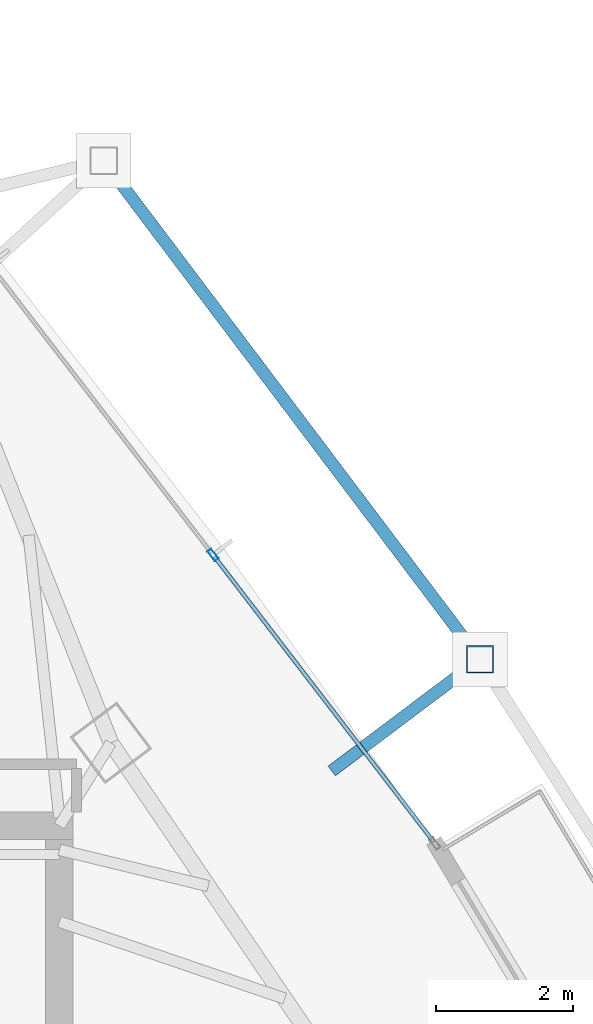
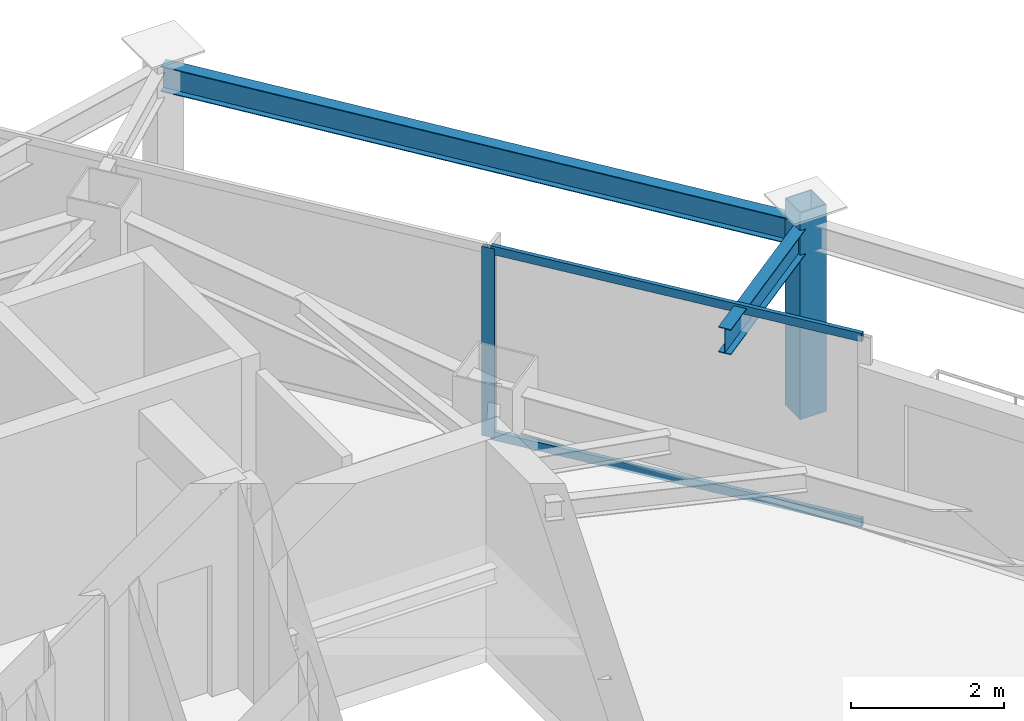
# One storey, part 24 of 31: 4 members, 2 beams, 1 element without a shape of its own.
"""IFC4 building model written with IfcOpenShell, lengths in metres."""

from ifc_helpers import new_model, si_unit, direction, frame, origin, origin_2d, place, context, subcontext, project, spatial, hollow_rectangle, i_section, extrude, material, layer, layer_set, material_profile, profile_set, type_object, element, aggregate, save


model = new_model("IFC4")

# Units and contexts
model_context = context("Model", 3, precision=1e-05, world=origin(), true_north=direction((0.0, 1.0)))
body_context = subcontext(model_context, "Body", "Model", "MODEL_VIEW")
ifc_project = project(units=[si_unit("LENGTHUNIT", "METRE"), si_unit("AREAUNIT", "SQUARE_METRE"), si_unit("VOLUMEUNIT", "CUBIC_METRE"), si_unit("PLANEANGLEUNIT", "RADIAN"), si_unit("MASSUNIT", "GRAM", prefix="KILO")], contexts=[model_context])

# Site, building, storey
site_placement = place(None, origin())
site = spatial("IfcSite", under=ifc_project, at=site_placement, CompositionType="ELEMENT")
building_placement = place(site_placement, origin())
building = spatial("IfcBuilding", under=site, at=building_placement, Name="Orvanel Arch Residences", CompositionType="ELEMENT")
storey_placement = place(building_placement, frame((0.0, 0.0, 183.64990234375)))
storey = spatial("IfcBuildingStorey", under=building, at=storey_placement, Name="L52", CompositionType="ELEMENT", Elevation=183.64990234375)

# Curtain wall, member
ifc_material_1 = material(Name="Bronze-anodised aluminium AA6063-T6", Category="aluminium")
ifc_layer = layer(ifc_material_1, 0.179931640625)
ifc_layer_set = layer_set([ifc_layer], Name="Bronze-anodised aluminium AA6063-T6")
curtain_wall_type = type_object("IfcCurtainWallType", Name="CW3-MID-SYS", PredefinedType="NOTDEFINED", material=ifc_layer_set)
curtain_wall_placement = place(storey_placement, origin())
curtain_wall = element("IfcCurtainWall", 1, at=curtain_wall_placement, inside=storey, type_object=curtain_wall_type, Name="L52 CW3-MID-SYS Unitised Curtain Wall", PredefinedType="NOTDEFINED")
ifc_material_profile_1 = material_profile(ifc_material_1, hollow_rectangle(XDim=0.070068359375, YDim=0.179931640625, WallThickness=0.00439453125, at=origin_2d()), Name="ALU180x70x4.5")
ifc_profile_set_1 = profile_set([ifc_material_profile_1], Name="Bronze-anodised aluminium AA6063-T6")
member_type_1 = type_object("IfcMemberType", Name="MUL-180x70", PredefinedType="MULLION", material=ifc_profile_set_1)
member_1_placement = place(storey_placement, frame((41.8447265625, 37.85791015625, 0.0), z_axis=(0.0, 0.0, 1.0), x_axis=(-0.792760568197, -0.609533166868, 0.0)))
member_1 = element("IfcMember", 2, at=member_1_placement, type_object=member_type_1, Name="CW-S3 mullion 2", PredefinedType="MULLION", context=body_context, shape_type="SweptSolid", body=[
    extrude(hollow_rectangle(XDim=0.070068359375, YDim=0.179931640625, WallThickness=0.00439453125, at=origin_2d()), origin(), (0.0, 0.0, 1.0), 3.02001953125),
])

# Beams
ifc_material_2 = material(Name="Structural steel AS/NZS 3679.1 Grade 300 (300 MPa)", Category="steel")
ifc_material_profile_2 = material_profile(ifc_material_2, i_section(OverallWidth=0.177978515625, OverallDepth=0.406005859375, WebThickness=0.0078125, FlangeThickness=0.0126953125, at=origin_2d()), Name="410UB59.7")
ifc_profile_set_2 = profile_set([ifc_material_profile_2], Name="Structural steel AS/NZS 3679.1 Grade 300 (300 MPa)")
beam_type = type_object("IfcBeamType", Name="OB-410UB-EXT", PredefinedType="SPANDREL", material=ifc_profile_set_2)
beam_1_placement = place(storey_placement, frame((43.577880859375, 34.701904296875, 2.817138671875), z_axis=(0.799004648769, 0.601324846689, 0.0), x_axis=(-0.601324846689, 0.799004648769, 0.0)))
element("IfcBeam", 3, at=beam_1_placement, inside=storey, type_object=beam_type, Name="L52 Outer Frame Radial Tie Beam 11", PredefinedType="SPANDREL", context=body_context, shape_type="SweptSolid", body=[
    extrude(i_section(OverallWidth=0.177978515625, OverallDepth=0.406005859375, WebThickness=0.0078125, FlangeThickness=0.0126953125, at=origin_2d()), origin(), (0.0, 0.0, 1.0), 2.7109375),
])
beam_2_placement = place(storey_placement, frame((45.743896484375, 36.33203125, 2.817138671875), z_axis=(-0.602288199753, 0.798278726034, 0.0), x_axis=(-0.798278726034, -0.602288199753, 0.0)))
element("IfcBeam", 4, at=beam_2_placement, inside=storey, type_object=beam_type, Name="L52 Outer Perimeter Floor Ring Beam 11", PredefinedType="SPANDREL", context=body_context, shape_type="SweptSolid", body=[
    extrude(i_section(OverallWidth=0.177978515625, OverallDepth=0.406005859375, WebThickness=0.0078125, FlangeThickness=0.0126953125, at=origin_2d()), origin(), (0.0, 0.0, 1.0), 9.123291015625),
])

# Member
ifc_material_3 = material(Name="Structural steel AS/NZS 1163 C450L0 (Grade 450)", Category="steel")
ifc_material_profile_3 = material_profile(ifc_material_3, hollow_rectangle(XDim=0.39990234375, YDim=0.39990234375, WallThickness=0.01611328125, at=origin_2d()), Name="SHS400x400x16")
ifc_profile_set_3 = profile_set([ifc_material_profile_3], Name="Structural steel AS/NZS 1163 C450L0 (Grade 450)")
member_type_2 = type_object("IfcMemberType", Name="ST-400SHS-EXT", PredefinedType="STRUT", material=ifc_profile_set_3)
member_2_placement = place(storey_placement, frame((45.743896484375, 36.33203125, 0.0), z_axis=(0.0, 0.0, 1.0), x_axis=(1.0, 0.0, 0.0)))
element("IfcMember", 5, at=member_2_placement, inside=storey, type_object=member_type_2, Name="L52 Outer Perimeter Frame Post 11", PredefinedType="STRUT", context=body_context, shape_type="SweptSolid", body=[
    extrude(hollow_rectangle(XDim=0.39990234375, YDim=0.39990234375, WallThickness=0.01611328125, at=origin_2d()), origin(), (0.0, 0.0, 1.0), 3.300048828125),
])

ifc_material_profile_4 = material_profile(ifc_material_1, hollow_rectangle(XDim=0.06005859375, YDim=0.135009765625, WallThickness=0.00390625, at=origin_2d()), Name="ALU135x60x4")
ifc_profile_set_4 = profile_set([ifc_material_profile_4], Name="Bronze-anodised aluminium AA6063-T6")
member_type_3 = type_object("IfcMemberType", Name="TRN-135x60", PredefinedType="USERDEFINED", material=ifc_profile_set_4)
member_3_placement = place(storey_placement, frame((45.064453125, 33.67041015625, 0.030029296875), z_axis=(-0.609537614099, 0.792757148816, 0.0), x_axis=(-0.792757148816, -0.609537614099, 0.0)))
member_3 = element("IfcMember", 6, at=member_3_placement, type_object=member_type_3, Name="CW-S3 transom 1.1", ObjectType="TRANSOM", PredefinedType="USERDEFINED", context=body_context, shape_type="SweptSolid", body=[
    extrude(hollow_rectangle(XDim=0.06005859375, YDim=0.135009765625, WallThickness=0.00390625, at=origin_2d()), origin(), (0.0, 0.0, 1.0), 5.247314453125),
])

member_4_placement = place(storey_placement, frame((45.064453125, 33.67041015625, 2.989990234375), z_axis=(-0.609537614099, 0.792757148816, 0.0), x_axis=(-0.792757148816, -0.609537614099, 0.0)))
member_4 = element("IfcMember", 7, at=member_4_placement, type_object=member_type_3, Name="CW-S3 transom 1.2", ObjectType="TRANSOM", PredefinedType="USERDEFINED", context=body_context, shape_type="SweptSolid", body=[
    extrude(hollow_rectangle(XDim=0.06005859375, YDim=0.135009765625, WallThickness=0.00390625, at=origin_2d()), origin(), (0.0, 0.0, 1.0), 5.247314453125),
])

aggregate(curtain_wall, [member_1, member_3, member_4])

save(model, "model.ifc")
